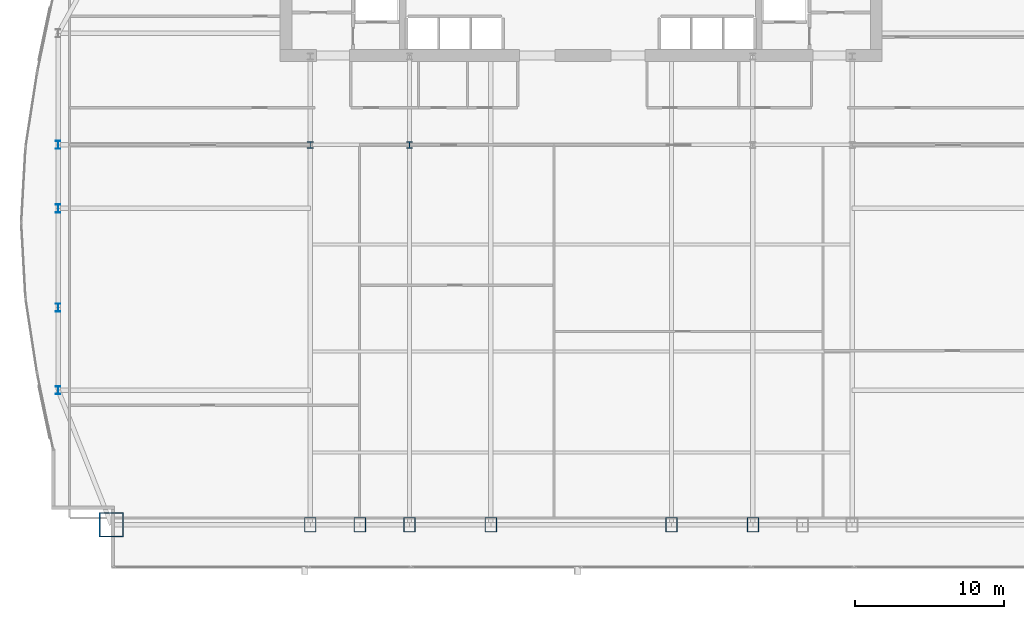
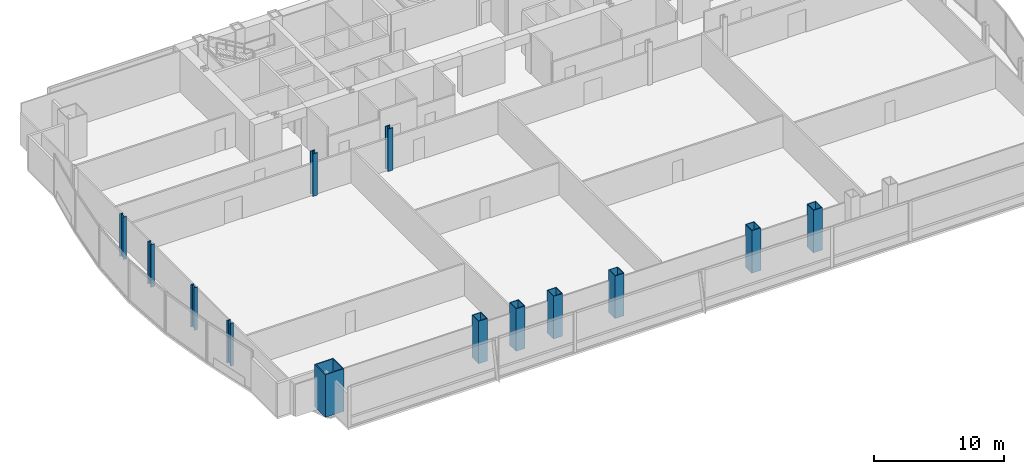
# One storey, part 1 of 35: 13 columns.
"""IFC4 building model written with IfcOpenShell, lengths in metres."""

import ifcopenshell
import ifcopenshell.guid

model = None  # the IFC model being written
_history = None  # IfcOwnerHistory: only IFC2X3 demands one
_inside = {}  # id of a spatial element -> (the spatial element, [elements in it])
_under = {}  # id of a project, library or spatial element -> (it, [spatial elements below it])
_declared = {}  # id of a project -> (the project, [libraries it declares])
_typed = {}  # id of a type object -> (the type object, [elements of that type])
_made_of = {}  # id of a material, layer set ... -> (it, [elements and type objects made of it])


def new_model(schema):
    """Start an empty IFC model of exactly this schema.

    Asked for "IFC4X3", IfcOpenShell would pick the latest addendum, in which some entities
    have other attributes; the version numbers below select the first issue.
    IFC2X3 requires an IfcOwnerHistory on every rooted entity: one is made here for all.
    """
    global model, _history
    if schema == "IFC4X3":
        model = ifcopenshell.file(schema_version=(4, 3, 0, 0))
    else:
        model = ifcopenshell.file(schema=schema)
    _inside.clear()
    _under.clear()
    _declared.clear()
    _typed.clear()
    _made_of.clear()
    _history = None
    if model.schema == "IFC2X3":
        org = make("IfcOrganization", Name="unknown")
        user = make(
            "IfcPersonAndOrganization",
            ThePerson=make("IfcPerson", FamilyName="unknown"),
            TheOrganization=org,
        )
        app = make(
            "IfcApplication",
            ApplicationDeveloper=org,
            Version="unknown",
            ApplicationFullName="unknown",
            ApplicationIdentifier="unknown",
        )
        _history = make(
            "IfcOwnerHistory",
            OwningUser=user,
            OwningApplication=app,
            ChangeAction="ADDED",
            CreationDate=0,
        )
    return model


def make(cls, **values):
    """One entity of the class cls with the attributes given. An attribute that is None is left unset."""
    return model.create_entity(
        cls, **{name: value for name, value in values.items() if value is not None}
    )


def rooted(cls, **values):
    """An entity with a GlobalId (a new one), such as an element, a storey or a relation."""
    return make(cls, GlobalId=ifcopenshell.guid.new(), OwnerHistory=_history, **values)


def si_unit(unit_type, name, prefix=None):
    """IfcSIUnit, for example si_unit("LENGTHUNIT", "METRE", prefix="MILLI")."""
    return make("IfcSIUnit", UnitType=unit_type, Prefix=prefix, Name=name)


def assignment(units):
    """IfcUnitAssignment: the units of a project."""
    return None if units is None else make("IfcUnitAssignment", Units=units)


def point(xyz):
    """IfcCartesianPoint."""
    return None if xyz is None else make("IfcCartesianPoint", Coordinates=xyz)


def direction(xyz):
    """IfcDirection."""
    return None if xyz is None else make("IfcDirection", DirectionRatios=xyz)


def frame(location, z_axis=None, x_axis=None):
    """IfcAxis2Placement3D, a coordinate frame: its origin and axes. An axis left out is left unset."""
    return make(
        "IfcAxis2Placement3D",
        Location=point(location),
        Axis=direction(z_axis),
        RefDirection=direction(x_axis),
    )


def frame_2d(location, x_axis=None):
    """IfcAxis2Placement2D, a coordinate frame in the plane: its origin and x axis."""
    return make(
        "IfcAxis2Placement2D", Location=point(location), RefDirection=direction(x_axis)
    )


def origin():
    """The frame at (0, 0, 0) with its axes left unset."""
    return frame((0.0, 0.0, 0.0))


def origin_2d():
    """The frame at (0, 0) in the plane with its x axis left unset."""
    return frame_2d((0.0, 0.0))


def place(relative_to, where):
    """IfcLocalPlacement: puts the frame where relative to a parent placement (None: the world)."""
    return make(
        "IfcLocalPlacement", PlacementRelTo=relative_to, RelativePlacement=where
    )


def context(
    kind, dimensions, precision=None, world=None, true_north=None, identifier=None
):
    """IfcGeometricRepresentationContext, for example the 3D "Model" context."""
    return make(
        "IfcGeometricRepresentationContext",
        ContextIdentifier=identifier,
        ContextType=kind,
        CoordinateSpaceDimension=dimensions,
        Precision=precision,
        WorldCoordinateSystem=world,
        TrueNorth=true_north,
    )


def subcontext(parent, identifier, kind, view, scale=None):
    """IfcGeometricRepresentationSubContext, for example "Body" below "Model"."""
    return make(
        "IfcGeometricRepresentationSubContext",
        ContextIdentifier=identifier,
        ContextType=kind,
        ParentContext=parent,
        TargetScale=scale,
        TargetView=view,
    )


def project(units=None, contexts=None):
    """IfcProject with its units and contexts."""
    return rooted(
        "IfcProject",
        Name="project",
        RepresentationContexts=contexts,
        UnitsInContext=assignment(units),
    )


def spatial(cls, under=None, at=None, **own):
    """A site, building, storey or space (cls), placed at a placement, below another one or the project."""
    s = rooted(cls, ObjectPlacement=at, **own)
    if under is not None:
        _under.setdefault(under.id(), (under, []))[1].append(s)
    return s


def profile(cls, at=None, kind="AREA", **sizes):
    """A parametric profile (cls). Its sizes go by their IFC names, for example OverallWidth=200.0."""
    return make(cls, ProfileType=kind, Position=at, **sizes)


def hollow_rectangle(**sizes):
    """IfcRectangleHollowProfileDef."""
    return profile("IfcRectangleHollowProfileDef", **sizes)


def i_section(**sizes):
    """IfcIShapeProfileDef."""
    return profile("IfcIShapeProfileDef", **sizes)


def extrude(swept, where, along, depth):
    """IfcExtrudedAreaSolid: the profile swept, set in the frame where, extruded along a direction by depth."""
    return make(
        "IfcExtrudedAreaSolid",
        SweptArea=swept,
        Position=where,
        ExtrudedDirection=direction(along),
        Depth=depth,
    )


def shape(context_of_items, identifier, shape_type, items):
    """IfcShapeRepresentation: the items that make up one representation, for example the "Body"."""
    return make(
        "IfcShapeRepresentation",
        ContextOfItems=context_of_items,
        RepresentationIdentifier=identifier,
        RepresentationType=shape_type,
        Items=items,
    )


def material(Name=None, Category=None):
    """IfcMaterial."""
    return make("IfcMaterial", Name=Name, Category=Category)


def material_profile(
    of_material, cross_section, Name=None, Category=None, Priority=None
):
    """IfcMaterialProfile: a cross section and its material."""
    return make(
        "IfcMaterialProfile",
        Name=Name,
        Material=of_material,
        Profile=cross_section,
        Priority=Priority,
        Category=Category,
    )


def profile_set(profiles, Name=None, composite=None):
    """IfcMaterialProfileSet."""
    return make(
        "IfcMaterialProfileSet",
        Name=Name,
        MaterialProfiles=profiles,
        CompositeProfile=composite,
    )


def made_of(thing, what):
    """Note that an element or type object is made of a material, layer set ...; save() writes the relation."""
    if what is not None:
        _made_of.setdefault(what.id(), (what, []))[1].append(thing)
    return thing


def type_object(cls, material=None, **own):
    """A type object (cls), such as IfcWallType, which elements share."""
    return made_of(rooted(cls, **own), material)


def element(
    cls,
    number,
    at=None,
    inside=None,
    cuts=None,
    type_object=None,
    material=None,
    context=None,
    identifier="Body",
    shape_type=None,
    held_by="IfcProductDefinitionShape",
    body=None,
    shapes=None,
    **own,
):
    """One element of the class cls, such as IfcWall. Its Tag is "e" and its number.

    at: its placement. inside: the storey or other place that contains it. cuts: it is an
    opening in that element (IfcRelVoidsElement). A single representation is given by context,
    identifier, shape_type and body (its items); several are given by shapes. held_by: the class
    of the entity that holds the representations. save() writes the other relations.
    """
    e = rooted(cls, Tag="e%d" % number, ObjectPlacement=at, **own)
    if body is not None:
        shapes = [shape(context, identifier, shape_type, body)]
    if shapes is not None:
        e.Representation = make(held_by, Representations=shapes)
    if inside is not None:
        _inside.setdefault(inside.id(), (inside, []))[1].append(e)
    if cuts is not None:
        rooted(
            "IfcRelVoidsElement", RelatingBuildingElement=cuts, RelatedOpeningElement=e
        )
    if type_object is not None:
        _typed.setdefault(type_object.id(), (type_object, []))[1].append(e)
    return made_of(e, material)


def aggregate(whole, parts):
    """IfcRelAggregates: a whole, such as a stair, and the parts it consists of."""
    return rooted("IfcRelAggregates", RelatingObject=whole, RelatedObjects=parts)


def save(model, path):
    """Write the relations noted so far, then the file.

    IfcRelAggregates (storeys below a building ...), IfcRelContainedInSpatialStructure (elements
    in a storey), IfcRelDefinesByType, IfcRelAssociatesMaterial and IfcRelDeclares: one each for
    every whole, place, type object, material and project.
    """
    for whole, parts in _under.values():
        aggregate(whole, parts)
    for where, things in _inside.values():
        rooted(
            "IfcRelContainedInSpatialStructure",
            RelatedElements=things,
            RelatingStructure=where,
        )
    for kind, things in _typed.values():
        rooted("IfcRelDefinesByType", RelatedObjects=things, RelatingType=kind)
    for what, things in _made_of.values():
        rooted("IfcRelAssociatesMaterial", RelatedObjects=things, RelatingMaterial=what)
    for by, libraries in _declared.values():
        rooted("IfcRelDeclares", RelatingContext=by, RelatedDefinitions=libraries)
    model.write(path)


model = new_model("IFC4")

# Units and contexts
model_context = context("Model", 3, precision=1e-05, world=origin(), true_north=direction((0.0, 1.0)))
body_context = subcontext(model_context, "Body", "Model", "MODEL_VIEW")
ifc_project = project(units=[si_unit("LENGTHUNIT", "METRE"), si_unit("AREAUNIT", "SQUARE_METRE"), si_unit("VOLUMEUNIT", "CUBIC_METRE"), si_unit("PLANEANGLEUNIT", "RADIAN"), si_unit("MASSUNIT", "GRAM", prefix="KILO")], contexts=[model_context])

# Site, building, storey
site_placement = place(None, origin())
site = spatial("IfcSite", under=ifc_project, at=site_placement, CompositionType="ELEMENT")
building_placement = place(site_placement, origin())
building = spatial("IfcBuilding", under=site, at=building_placement, Name="Khoronbel Lancet Exchange", CompositionType="ELEMENT")
storey_placement = place(building_placement, frame((0.0, 0.0, 53.800048828125)))
storey = spatial("IfcBuildingStorey", under=building, at=storey_placement, Name="L12", CompositionType="ELEMENT", Elevation=53.800048828125)

# Columns
ifc_material_1 = material(Name="Steel S460", Category="steel")
ifc_material_profile_1 = material_profile(ifc_material_1, hollow_rectangle(XDim=0.800048828125, YDim=1.0, WallThickness=0.054931640625, at=origin_2d()), Name="BOX 1000x800x55")
ifc_profile_set_1 = profile_set([ifc_material_profile_1], Name="Steel S460")
column_type_1 = type_object("IfcColumnType", Name="COL-EC1", PredefinedType="COLUMN", material=ifc_profile_set_1)
for number, where, z_axis, x_axis, name in (
    (1, (18.22509765625, 10.14990234375, 0.0), (0.0, 0.0, 1.0), (1.0, 0.0, 0.0), "Structural column SC-W1 L12"),
    (2, (21.5625, 10.14990234375, 0.0), (0.0, 0.0, 1.0), (1.0, 0.0, 0.0), "Structural column SC-WM L12"),
    (3, (24.89990234375, 10.14990234375, 0.0), (0.0, 0.0, 1.0), (1.0, 0.0, 0.0), "Structural column SC-W2 L12"),
    (4, (30.375, 10.14990234375, 0.0), (0.0, 0.0, 1.0), (1.0, 0.0, 0.0), "Structural column SC-C1 L12"),
    (5, (42.52490234375, 10.14990234375, 0.0), (0.0, 0.0, 1.0), (1.0, 0.0, 0.0), "Structural column SC-C2 L12"),
    (6, (48.0, 10.14990234375, 0.0), (0.0, 0.0, 1.0), (1.0, 0.0, 0.0), "Structural column SC-E1 L12"),
):
    element("IfcColumn", number, at=place(storey_placement, frame(where, z_axis=z_axis, x_axis=x_axis)), inside=storey, type_object=column_type_1, Name=name, PredefinedType="COLUMN", context=body_context, shape_type="SweptSolid", body=[
        extrude(hollow_rectangle(XDim=0.800048828125, YDim=1.0, WallThickness=0.054931640625, at=origin_2d()), origin(), (0.0, 0.0, 1.0), 4.0),
    ])
ifc_material_profile_2 = material_profile(ifc_material_1, i_section(OverallWidth=0.424072265625, OverallDepth=0.47412109375, WebThickness=0.047607421875, FlangeThickness=0.076904296875, at=origin_2d()), Name="HD 400x634")
ifc_profile_set_2 = profile_set([ifc_material_profile_2], Name="Steel S460")
column_type_2 = type_object("IfcColumnType", Name="COL-IC1", PredefinedType="COLUMN", material=ifc_profile_set_2)
for number, where, z_axis, x_axis, name in (
    (7, (18.22509765625, 35.699951171875, 0.0), (0.0, 0.0, 1.0), (1.0, 0.0, 0.0), "Spine gravity column TC1 L12"),
    (8, (24.89990234375, 35.699951171875, 0.0), (0.0, 0.0, 1.0), (1.0, 0.0, 0.0), "Spine gravity column TC2 L12"),
):
    element("IfcColumn", number, at=place(storey_placement, frame(where, z_axis=z_axis, x_axis=x_axis)), inside=storey, type_object=column_type_2, Name=name, PredefinedType="COLUMN", context=body_context, shape_type="SweptSolid", body=[
        extrude(i_section(OverallWidth=0.424072265625, OverallDepth=0.47412109375, WebThickness=0.047607421875, FlangeThickness=0.076904296875, at=origin_2d()), origin(), (0.0, 0.0, 1.0), 4.0),
    ])
ifc_material_2 = material(Name="Steel S355", Category="steel")
ifc_material_profile_3 = material_profile(ifc_material_2, i_section(OverallWidth=0.300048828125, OverallDepth=0.550048828125, WebThickness=0.014892578125, FlangeThickness=0.029052734375, at=origin_2d()), Name="HEB 550")
ifc_profile_set_3 = profile_set([ifc_material_profile_3], Name="Steel S355")
column_type_3 = type_object("IfcColumnType", Name="COL-LC1", PredefinedType="COLUMN", material=ifc_profile_set_3)
for number, where, z_axis, x_axis, name in (
    (9, (1.27001953125, 19.199951171875, 0.0), (0.0, 0.0, 1.0), (1.0, 0.0, 0.0), "Structural column WC-1 L12"),
    (10, (1.27001953125, 24.75, 0.0), (0.0, 0.0, 1.0), (1.0, 0.0, 0.0), "Structural column WC-2 L12"),
    (11, (1.27001953125, 31.425048828125, 0.0), (0.0, 0.0, 1.0), (1.0, 0.0, 0.0), "Structural column WC-M L12"),
    (12, (1.27001953125, 35.699951171875, 0.0), (0.0, 0.0, 1.0), (1.0, 0.0, 0.0), "Structural column WC-3 L12"),
):
    element("IfcColumn", number, at=place(storey_placement, frame(where, z_axis=z_axis, x_axis=x_axis)), inside=storey, type_object=column_type_3, Name=name, PredefinedType="COLUMN", context=body_context, shape_type="SweptSolid", body=[
        extrude(i_section(OverallWidth=0.300048828125, OverallDepth=0.550048828125, WebThickness=0.014892578125, FlangeThickness=0.029052734375, at=origin_2d()), origin(), (0.0, 0.0, 1.0), 4.0),
    ])
ifc_material_profile_4 = material_profile(ifc_material_1, hollow_rectangle(XDim=1.64990234375, YDim=1.64990234375, WallThickness=0.074951171875, at=origin_2d()), Name="BOX 1650x1650x75")
ifc_profile_set_4 = profile_set([ifc_material_profile_4], Name="Steel S460")
column_type_4 = type_object("IfcColumnType", Name="COL-MC2", PredefinedType="COLUMN", material=ifc_profile_set_4)
column_placement = place(storey_placement, frame((4.85009765625, 10.14990234375, 0.0), z_axis=(0.0, 0.0, 1.0), x_axis=(1.0, 0.0, 0.0)))
element("IfcColumn", 13, at=column_placement, inside=storey, type_object=column_type_4, Name="Structural column MC-SW L12", PredefinedType="COLUMN", context=body_context, shape_type="SweptSolid", body=[
    extrude(hollow_rectangle(XDim=1.64990234375, YDim=1.64990234375, WallThickness=0.074951171875, at=origin_2d()), origin(), (0.0, 0.0, 1.0), 4.0),
])

save(model, "model.ifc")
